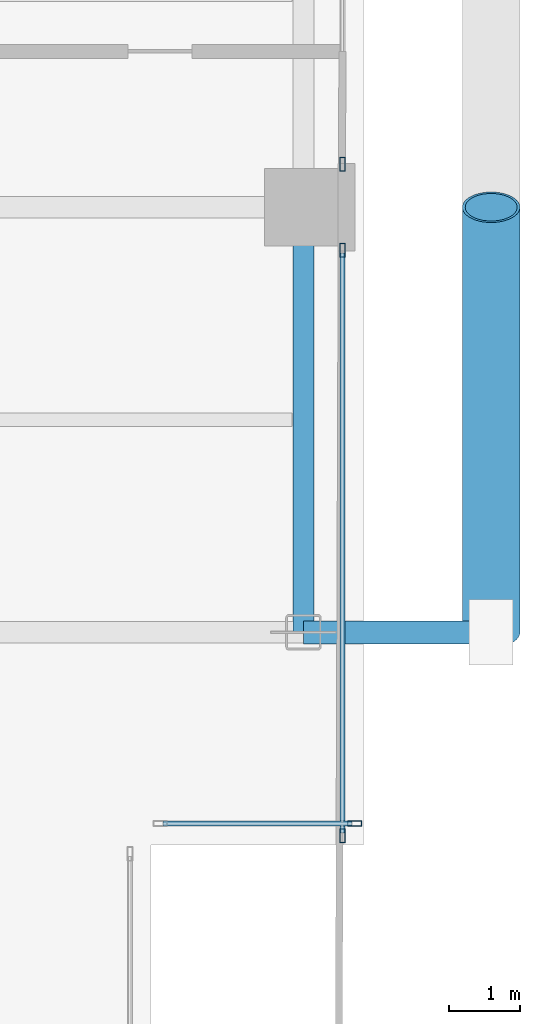
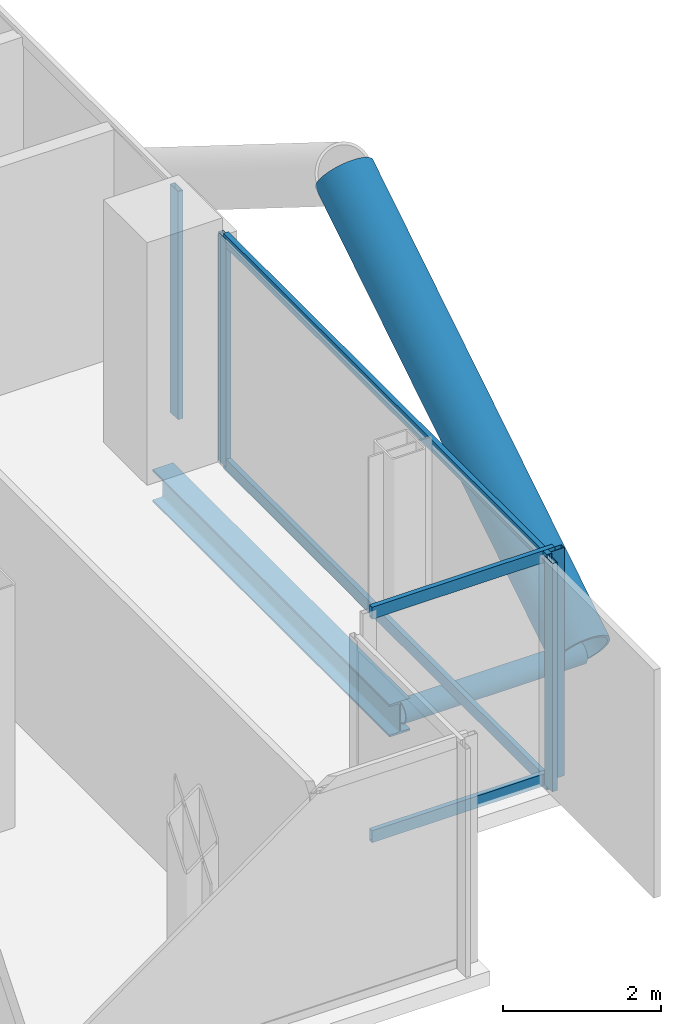
# One storey, part 11 of 24: 10 members, 1 beam, 3 elements without a shape of their own.
"""IFC4 building model written with IfcOpenShell, lengths in metres."""

from ifc_helpers import new_model, si_unit, direction, frame, origin, origin_2d, place, context, subcontext, project, spatial, hollow_rectangle, hollow_circle, i_section, extrude, material, layer, layer_set, material_profile, profile_set, type_object, element, aggregate, save


model = new_model("IFC4")

# Units and contexts
model_context = context("Model", 3, precision=1e-05, world=origin(), true_north=direction((0.0, 1.0)))
body_context = subcontext(model_context, "Body", "Model", "MODEL_VIEW")
ifc_project = project(units=[si_unit("LENGTHUNIT", "METRE"), si_unit("AREAUNIT", "SQUARE_METRE"), si_unit("VOLUMEUNIT", "CUBIC_METRE"), si_unit("PLANEANGLEUNIT", "RADIAN"), si_unit("MASSUNIT", "GRAM", prefix="KILO"), si_unit("THERMODYNAMICTEMPERATUREUNIT", "KELVIN"), si_unit("POWERUNIT", "WATT")], contexts=[model_context])

# Site, building, storey
site_placement = place(None, origin())
site = spatial("IfcSite", under=ifc_project, at=site_placement, CompositionType="ELEMENT")
building_placement = place(site_placement, origin())
building = spatial("IfcBuilding", under=site, at=building_placement, Name="Svarakhadi Broadcast Tower", CompositionType="ELEMENT")
storey_placement = place(building_placement, frame((0.0, 0.0, 141.89990234375)))
storey = spatial("IfcBuildingStorey", under=building, at=storey_placement, Name="L34", CompositionType="ELEMENT", Elevation=141.89990234375)

# Curtain wall, member
ifc_material_1 = material(Name="Anodised Bronze Aluminium AA 6063-T6", Category="aluminium")
ifc_layer = layer(ifc_material_1, 0.199951171875)
ifc_layer_set = layer_set([ifc_layer], Name="Anodised Bronze Aluminium AA 6063-T6")
curtain_wall_type = type_object("IfcCurtainWallType", Name="CW_Sys_03", PredefinedType="NOTDEFINED", material=ifc_layer_set)
curtain_wall_1_placement = place(storey_placement, origin())
curtain_wall_1 = element("IfcCurtainWall", 1, at=curtain_wall_1_placement, inside=storey, type_object=curtain_wall_type, Name="L34 Unitised Facade Curtain Wall 13 Bay 1", PredefinedType="NOTDEFINED")
ifc_material_profile_1 = material_profile(ifc_material_1, hollow_rectangle(XDim=0.074951171875, YDim=0.199951171875, WallThickness=0.005615234375, at=origin_2d()), Name="ALU MULLION 200x75x6")
ifc_profile_set_1 = profile_set([ifc_material_profile_1], Name="Anodised Bronze Aluminium AA 6063-T6")
member_type_1 = type_object("IfcMemberType", Name="CW_Sys_03_Mul", PredefinedType="MULLION", material=ifc_profile_set_1)
member_1_placement = place(storey_placement, frame((47.699951171875, 12.607421875, 0.0), z_axis=(0.0, 0.0, 1.0), x_axis=(1.0, 0.0, 0.0)))
member_1 = element("IfcMember", 2, at=member_1_placement, type_object=member_type_1, Name="CW-03 mullion 2", PredefinedType="MULLION", context=body_context, shape_type="SweptSolid", body=[
    extrude(hollow_rectangle(XDim=0.074951171875, YDim=0.199951171875, WallThickness=0.005615234375, at=origin_2d()), origin(), (0.0, 0.0, 1.0), 3.525146484375),
])
aggregate(curtain_wall_1, [member_1])

# Curtain wall, members
curtain_wall_2_placement = place(storey_placement, origin())
curtain_wall_2 = element("IfcCurtainWall", 3, at=curtain_wall_2_placement, inside=storey, type_object=curtain_wall_type, Name="L34 Unitised Facade Curtain Wall 13 Bay 2", PredefinedType="NOTDEFINED")
member_2_placement = place(storey_placement, frame((47.699951171875, 11.392578125, 0.0), z_axis=(0.0, 0.0, 1.0), x_axis=(1.0, 0.0, 0.0)))
member_2 = element("IfcMember", 4, at=member_2_placement, type_object=member_type_1, Name="CW-03 mullion 1", PredefinedType="MULLION", context=body_context, shape_type="SweptSolid", body=[
    extrude(hollow_rectangle(XDim=0.074951171875, YDim=0.199951171875, WallThickness=0.005615234375, at=origin_2d()), origin(), (0.0, 0.0, 1.0), 3.525146484375),
])
member_3_placement = place(storey_placement, frame((47.699951171875, 3.12744140625, 0.0), z_axis=(0.0, 0.0, 1.0), x_axis=(1.0, 0.0, 0.0)))
member_3 = element("IfcMember", 5, at=member_3_placement, type_object=member_type_1, Name="CW-03 mullion 2", PredefinedType="MULLION", context=body_context, shape_type="SweptSolid", body=[
    extrude(hollow_rectangle(XDim=0.074951171875, YDim=0.199951171875, WallThickness=0.005615234375, at=origin_2d()), origin(), (0.0, 0.0, 1.0), 3.525146484375),
])

# Curtain wall, member
curtain_wall_3_placement = place(storey_placement, origin())
curtain_wall_3 = element("IfcCurtainWall", 6, at=curtain_wall_3_placement, inside=storey, type_object=curtain_wall_type, Name="L34 Unitised Facade Curtain Wall 14", PredefinedType="NOTDEFINED")
member_4_placement = place(storey_placement, frame((47.87255859375, 3.300048828125, 0.0), z_axis=(0.0, 0.0, 1.0), x_axis=(0.0, -1.0, 0.0)))
member_4 = element("IfcMember", 7, at=member_4_placement, type_object=member_type_1, Name="CW-03 mullion 1", PredefinedType="MULLION", context=body_context, shape_type="SweptSolid", body=[
    extrude(hollow_rectangle(XDim=0.074951171875, YDim=0.199951171875, WallThickness=0.005615234375, at=origin_2d()), origin(), (0.0, 0.0, 1.0), 3.525146484375),
])

# Member
ifc_material_profile_2 = material_profile(ifc_material_1, hollow_rectangle(XDim=0.070068359375, YDim=0.18505859375, WallThickness=0.0048828125, at=origin_2d()), Name="ALU TRANSOM 185x70x5")
ifc_profile_set_2 = profile_set([ifc_material_profile_2], Name="Anodised Bronze Aluminium AA 6063-T6")
member_type_2 = type_object("IfcMemberType", Name="CW_Sys_03_Trn", PredefinedType="USERDEFINED", material=ifc_profile_set_2)
member_5_placement = place(storey_placement, frame((47.699951171875, 11.35498046875, 0.03515625), z_axis=(0.0, -1.0, 0.0), x_axis=(1.0, 0.0, 0.0)))
member_5 = element("IfcMember", 8, at=member_5_placement, type_object=member_type_2, Name="CW-03 transom 1.1", ObjectType="TRANSOM", PredefinedType="USERDEFINED", context=body_context, shape_type="SweptSolid", body=[
    extrude(hollow_rectangle(XDim=0.070068359375, YDim=0.18505859375, WallThickness=0.0048828125, at=origin_2d()), origin(), (0.0, 0.0, 1.0), 8.18994140625),
])

member_6_placement = place(storey_placement, frame((47.699951171875, 11.35498046875, 3.489990234375), z_axis=(0.0, -1.0, 0.0), x_axis=(1.0, 0.0, 0.0)))
member_6 = element("IfcMember", 9, at=member_6_placement, type_object=member_type_2, Name="CW-03 transom 1.2", ObjectType="TRANSOM", PredefinedType="USERDEFINED", context=body_context, shape_type="SweptSolid", body=[
    extrude(hollow_rectangle(XDim=0.070068359375, YDim=0.18505859375, WallThickness=0.0048828125, at=origin_2d()), origin(), (0.0, 0.0, 1.0), 8.18994140625),
])

aggregate(curtain_wall_2, [member_2, member_3, member_5, member_6])

member_7_placement = place(storey_placement, frame((47.8349609375, 3.300048828125, 0.03515625), z_axis=(-1.0, 0.0, 0.0), x_axis=(0.0, -1.0, 0.0)))
member_7 = element("IfcMember", 10, at=member_7_placement, type_object=member_type_2, Name="CW-03 transom 1.1", ObjectType="TRANSOM", PredefinedType="USERDEFINED", context=body_context, shape_type="SweptSolid", body=[
    extrude(hollow_rectangle(XDim=0.070068359375, YDim=0.18505859375, WallThickness=0.0048828125, at=origin_2d()), origin(), (0.0, 0.0, 1.0), 2.669921875),
])

member_8_placement = place(storey_placement, frame((47.8349609375, 3.300048828125, 3.489990234375), z_axis=(-1.0, 0.0, 0.0), x_axis=(0.0, -1.0, 0.0)))
member_8 = element("IfcMember", 11, at=member_8_placement, type_object=member_type_2, Name="CW-03 transom 1.2", ObjectType="TRANSOM", PredefinedType="USERDEFINED", context=body_context, shape_type="SweptSolid", body=[
    extrude(hollow_rectangle(XDim=0.070068359375, YDim=0.18505859375, WallThickness=0.0048828125, at=origin_2d()), origin(), (0.0, 0.0, 1.0), 2.669921875),
])

aggregate(curtain_wall_3, [member_4, member_7, member_8])

# Members
ifc_material_2 = material(Name="Steel S460ML (IS 2062 E450BR)", Category="steel")
ifc_material_profile_3 = material_profile(ifc_material_2, hollow_circle(Radius=0.406494140625, WallThickness=0.0400390625, at=origin_2d()), Name="CHS 813x40")
ifc_profile_set_3 = profile_set([ifc_material_profile_3], Name="Steel S460ML (IS 2062 E450BR)")
member_type_3 = type_object("IfcMemberType", Name="Exo_Brace_CHS813", PredefinedType="BRACE", material=ifc_profile_set_3)
member_9_placement = place(storey_placement, frame((49.800048828125, 6.0, -0.386962890625), z_axis=(0.0, 0.847998304005, 0.529998940003), x_axis=(-1.0, 0.0, 0.0)))
element("IfcMember", 12, at=member_9_placement, inside=storey, type_object=member_type_3, Name="L34 Exposed Bronze Exoskeleton Diagonal E06", PredefinedType="BRACE", context=body_context, shape_type="SweptSolid", body=[
    extrude(hollow_circle(Radius=0.406494140625, WallThickness=0.0400390625, at=origin_2d()), origin(), (0.0, 0.0, 1.0), 7.075439453125),
])
ifc_material_profile_4 = material_profile(ifc_material_2, hollow_circle(Radius=0.161865234375, WallThickness=0.01611328125, at=origin_2d()), Name="CHS 323.9x16")
ifc_profile_set_4 = profile_set([ifc_material_profile_4], Name="Steel S460ML (IS 2062 E450BR)")
member_type_4 = type_object("IfcMemberType", Name="Exo_Radial_Strut_Z2", PredefinedType="STRUT", material=ifc_profile_set_4)
member_10_placement = place(storey_placement, frame((49.800048828125, 6.0, -0.386962890625), z_axis=(-1.0, 0.0, 0.0), x_axis=(0.0, -1.0, 0.0)))
element("IfcMember", 13, at=member_10_placement, inside=storey, type_object=member_type_4, Name="L34 Exoskeleton Radial Tie Strut E08", PredefinedType="STRUT", context=body_context, shape_type="SweptSolid", body=[
    extrude(hollow_circle(Radius=0.161865234375, WallThickness=0.01611328125, at=origin_2d()), origin(), (0.0, 0.0, 1.0), 2.650146484375),
])

# Beam
ifc_material_3 = material(Name="Steel S355J2 (IS 2062 E350C)", Category="steel")
ifc_material_profile_5 = material_profile(ifc_material_3, i_section(OverallWidth=0.300048828125, OverallDepth=0.5, WebThickness=0.014404296875, FlangeThickness=0.028076171875, FilletRadius=0.027099609375, at=origin_2d()), Name="WPB 500x300x187")
ifc_profile_set_5 = profile_set([ifc_material_profile_5], Name="Steel S355J2 (IS 2062 E350C)")
beam_type = type_object("IfcBeamType", Name="Girder_WPB500", PredefinedType="USERDEFINED", material=ifc_profile_set_5)
beam_placement = place(storey_placement, frame((47.14990234375, 6.0, -0.474853515625), z_axis=(0.0, 1.0, 0.0), x_axis=(-1.0, 0.0, 0.0)))
element("IfcBeam", 14, at=beam_placement, inside=storey, type_object=beam_type, Name="L34 Primary N-S Girder G073", ObjectType="GIRDER", PredefinedType="USERDEFINED", context=body_context, shape_type="SweptSolid", body=[
    extrude(i_section(OverallWidth=0.300048828125, OverallDepth=0.5, WebThickness=0.014404296875, FlangeThickness=0.028076171875, FilletRadius=0.027099609375, at=origin_2d()), origin(), (0.0, 0.0, 1.0), 6.0),
])

save(model, "model.ifc")
